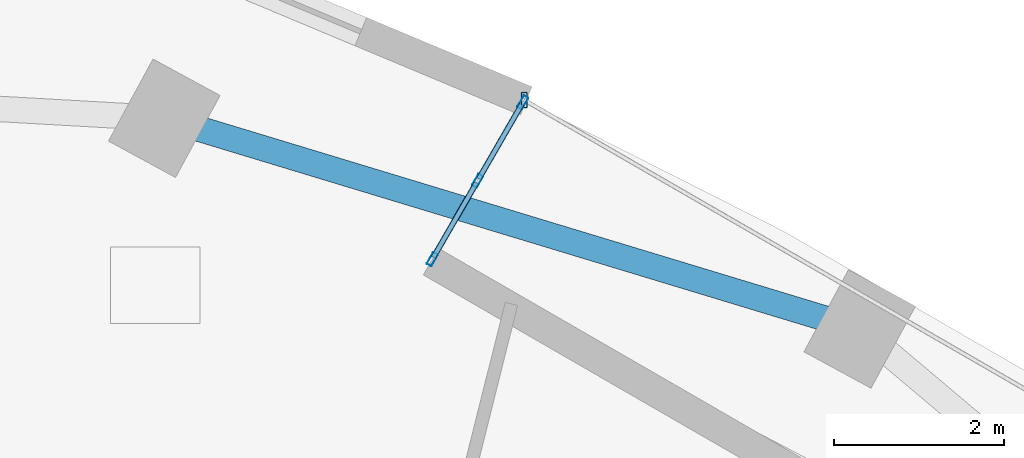
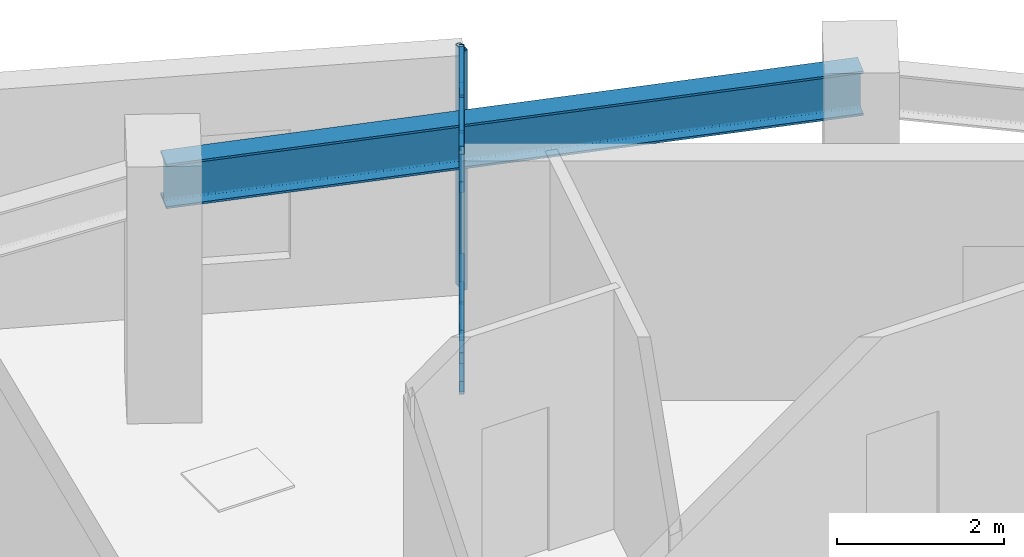
# One storey, part 4 of 14: 12 members, 1 beam, 1 element without a shape of its own.
"""IFC4 building model written with IfcOpenShell, lengths in metres."""

from ifc_helpers import new_model, si_unit, direction, frame, origin, origin_2d, place, context, subcontext, project, spatial, hollow_rectangle, i_section, extrude, material, layer, layer_set, material_profile, profile_set, type_object, element, aggregate, save


model = new_model("IFC4")

# Units and contexts
model_context = context("Model", 3, precision=1e-05, world=origin(), true_north=direction((0.0, 1.0)))
body_context = subcontext(model_context, "Body", "Model", "MODEL_VIEW")
ifc_project = project(units=[si_unit("LENGTHUNIT", "METRE"), si_unit("AREAUNIT", "SQUARE_METRE"), si_unit("VOLUMEUNIT", "CUBIC_METRE"), si_unit("PLANEANGLEUNIT", "RADIAN"), si_unit("MASSUNIT", "GRAM", prefix="KILO")], contexts=[model_context])

# Site, building, storey
site_placement = place(None, origin())
site = spatial("IfcSite", under=ifc_project, at=site_placement, CompositionType="ELEMENT")
building_placement = place(site_placement, origin())
building = spatial("IfcBuilding", under=site, at=building_placement, Name="Ndelora Gate Hotel", CompositionType="ELEMENT")
storey_placement = place(building_placement, frame((0.0, 0.0, 119.75)))
storey = spatial("IfcBuildingStorey", under=building, at=storey_placement, Name="L29", CompositionType="ELEMENT", Elevation=119.75)

# Beam
ifc_material_1 = material(Name="Steel S355", Category="steel")
ifc_material_profile_1 = material_profile(ifc_material_1, i_section(OverallWidth=0.300048828125, OverallDepth=0.64990234375, WebThickness=0.01611328125, FlangeThickness=0.031005859375, FilletRadius=0.027099609375, at=origin_2d()), Name="HEB 650")
ifc_profile_set_1 = profile_set([ifc_material_profile_1], Name="Steel S355")
beam_type = type_object("IfcBeamType", Name="BM-RING-650", PredefinedType="SPANDREL", material=ifc_profile_set_1)
beam_placement = place(storey_placement, frame((7.759033203125, 14.290283203125, 3.175048828125), z_axis=(-0.957030396662, 0.289987620192, 0.0), x_axis=(-0.289987620192, -0.957030396662, 0.0)))
element("IfcBeam", 1, at=beam_placement, inside=storey, type_object=beam_type, Name="L29 Perimeter Spandrel Girder 11", PredefinedType="SPANDREL", context=body_context, shape_type="SweptSolid", body=[
    extrude(i_section(OverallWidth=0.300048828125, OverallDepth=0.64990234375, WebThickness=0.01611328125, FlangeThickness=0.031005859375, FilletRadius=0.027099609375, at=origin_2d()), origin(), (0.0, 0.0, 1.0), 8.56640625),
])

# Curtain wall, members
ifc_material_2 = material(Name="Bronze Anodised Unitised Aluminium and Low-E Glass", Category="aluminium")
ifc_layer = layer(ifc_material_2, 0.199951171875)
ifc_layer_set = layer_set([ifc_layer], Name="Bronze Anodised Unitised Aluminium and Low-E Glass")
curtain_wall_type = type_object("IfcCurtainWallType", Name="CW-SYS-3", PredefinedType="NOTDEFINED", material=ifc_layer_set)
curtain_wall_placement = place(storey_placement, origin())
curtain_wall = element("IfcCurtainWall", 2, at=curtain_wall_placement, inside=storey, type_object=curtain_wall_type, Name="L29 Sky-Garden Loggia Side Curtain Wall CW3-2", PredefinedType="NOTDEFINED")
ifc_material_3 = material(Name="Bronze Anodised Aluminium 6063-T6", Category="aluminium")
ifc_material_profile_2 = material_profile(ifc_material_3, hollow_rectangle(XDim=0.06494140625, YDim=0.159912109375, WallThickness=0.00390625, InnerFilletRadius=0.00390625, OuterFilletRadius=0.008056640625, at=origin_2d()), Name="ALU 160x65x4")
ifc_profile_set_2 = profile_set([ifc_material_profile_2], Name="Bronze Anodised Aluminium 6063-T6")
member_type_1 = type_object("IfcMemberType", Name="MB-CW-MUL150", PredefinedType="MULLION", material=ifc_profile_set_2)
member_1_placement = place(storey_placement, frame((3.788330078125, 16.96142578125, -0.00390625), z_axis=(0.0, 0.0, 1.0), x_axis=(0.866019052627, -0.500011000366, 0.0)))
member_1 = element("IfcMember", 3, at=member_1_placement, type_object=member_type_1, Name="CW3 mullion 1", PredefinedType="MULLION", context=body_context, shape_type="SweptSolid", body=[
    extrude(hollow_rectangle(XDim=0.06494140625, YDim=0.159912109375, WallThickness=0.00390625, InnerFilletRadius=0.00390625, OuterFilletRadius=0.008056640625, at=origin_2d()), origin(), (0.0, 0.0, 1.0), 3.5078125),
])
member_2_placement = place(storey_placement, frame((3.25439453125, 16.036865234375, -0.00390625), z_axis=(0.0, 0.0, 1.0), x_axis=(0.866019052627, -0.500011000366, 0.0)))
member_2 = element("IfcMember", 4, at=member_2_placement, type_object=member_type_1, Name="CW3 mullion 2", PredefinedType="MULLION", context=body_context, shape_type="SweptSolid", body=[
    extrude(hollow_rectangle(XDim=0.06494140625, YDim=0.159912109375, WallThickness=0.00390625, InnerFilletRadius=0.00390625, OuterFilletRadius=0.008056640625, at=origin_2d()), origin(), (0.0, 0.0, 1.0), 3.5078125),
])
member_3_placement = place(storey_placement, frame((2.720703125, 15.112548828125, -0.00390625), z_axis=(0.0, 0.0, 1.0), x_axis=(0.866019052627, -0.500011000366, 0.0)))
member_3 = element("IfcMember", 5, at=member_3_placement, type_object=member_type_1, Name="CW3 mullion 3", PredefinedType="MULLION", context=body_context, shape_type="SweptSolid", body=[
    extrude(hollow_rectangle(XDim=0.06494140625, YDim=0.159912109375, WallThickness=0.00390625, InnerFilletRadius=0.00390625, OuterFilletRadius=0.008056640625, at=origin_2d()), origin(), (0.0, 0.0, 1.0), 3.5078125),
])
ifc_material_profile_3 = material_profile(ifc_material_3, hollow_rectangle(XDim=0.070068359375, YDim=0.179931640625, WallThickness=0.0048828125, InnerFilletRadius=0.0048828125, OuterFilletRadius=0.010009765625, at=origin_2d()), Name="ALU 180x70x5")
ifc_profile_set_3 = profile_set([ifc_material_profile_3], Name="Bronze Anodised Aluminium 6063-T6")
member_type_2 = type_object("IfcMemberType", Name="MB-CW-MUL180", PredefinedType="MULLION", material=ifc_profile_set_3)
member_4_placement = place(storey_placement, frame((3.804443359375, 16.989501953125, 0.0), z_axis=(0.0, 0.0, 1.0), x_axis=(1.0, 0.0, 0.0)))
member_4 = element("IfcMember", 6, at=member_4_placement, type_object=member_type_2, Name="L29 Sky-Garden Loggia Corner Mullion Post 2", PredefinedType="MULLION", context=body_context, shape_type="SweptSolid", body=[
    extrude(hollow_rectangle(XDim=0.070068359375, YDim=0.179931640625, WallThickness=0.0048828125, InnerFilletRadius=0.0048828125, OuterFilletRadius=0.010009765625, at=origin_2d()), origin(), (0.0, 0.0, 1.0), 3.5),
])
ifc_material_profile_4 = material_profile(ifc_material_3, hollow_rectangle(XDim=0.06494140625, YDim=0.159912109375, WallThickness=0.00390625, InnerFilletRadius=0.00390625, OuterFilletRadius=0.008056640625, at=origin_2d()), Name="ALU 160x65x4")
ifc_profile_set_4 = profile_set([ifc_material_profile_4], Name="Bronze Anodised Aluminium 6063-T6")
member_type_3 = type_object("IfcMemberType", Name="MB-CW-TRN150", PredefinedType="USERDEFINED", material=ifc_profile_set_4)
member_5_placement = place(storey_placement, frame((3.77490234375, 16.9384765625, 0.032470703125), z_axis=(-0.499840506035, -0.866117468088, 0.0), x_axis=(0.866117468088, -0.499840506035, 0.0)))
member_5 = element("IfcMember", 7, at=member_5_placement, type_object=member_type_3, Name="CW3 transom 1.1", ObjectType="TRANSOM", PredefinedType="USERDEFINED", context=body_context, shape_type="SweptSolid", body=[
    extrude(hollow_rectangle(XDim=0.06494140625, YDim=0.159912109375, WallThickness=0.00390625, InnerFilletRadius=0.00390625, OuterFilletRadius=0.008056640625, at=origin_2d()), origin(), (0.0, 0.0, 1.0), 1.014404296875),
])
member_6_placement = place(storey_placement, frame((3.77490234375, 16.9384765625, 0.449951171875), z_axis=(-0.499840506035, -0.866117468088, 0.0), x_axis=(0.866117468088, -0.499840506035, 0.0)))
member_6 = element("IfcMember", 8, at=member_6_placement, type_object=member_type_3, Name="CW3 transom 1.2", ObjectType="TRANSOM", PredefinedType="USERDEFINED", context=body_context, shape_type="SweptSolid", body=[
    extrude(hollow_rectangle(XDim=0.06494140625, YDim=0.159912109375, WallThickness=0.00390625, InnerFilletRadius=0.00390625, OuterFilletRadius=0.008056640625, at=origin_2d()), origin(), (0.0, 0.0, 1.0), 1.014404296875),
])
member_7_placement = place(storey_placement, frame((3.77490234375, 16.9384765625, 2.949951171875), z_axis=(-0.499840506035, -0.866117468088, 0.0), x_axis=(0.866117468088, -0.499840506035, 0.0)))
member_7 = element("IfcMember", 9, at=member_7_placement, type_object=member_type_3, Name="CW3 transom 1.3", ObjectType="TRANSOM", PredefinedType="USERDEFINED", context=body_context, shape_type="SweptSolid", body=[
    extrude(hollow_rectangle(XDim=0.06494140625, YDim=0.159912109375, WallThickness=0.00390625, InnerFilletRadius=0.00390625, OuterFilletRadius=0.008056640625, at=origin_2d()), origin(), (0.0, 0.0, 1.0), 1.014404296875),
])
member_8_placement = place(storey_placement, frame((3.77490234375, 16.9384765625, 3.467529296875), z_axis=(-0.499840506035, -0.866117468088, 0.0), x_axis=(0.866117468088, -0.499840506035, 0.0)))
member_8 = element("IfcMember", 10, at=member_8_placement, type_object=member_type_3, Name="CW3 transom 1.4", ObjectType="TRANSOM", PredefinedType="USERDEFINED", context=body_context, shape_type="SweptSolid", body=[
    extrude(hollow_rectangle(XDim=0.06494140625, YDim=0.159912109375, WallThickness=0.00390625, InnerFilletRadius=0.00390625, OuterFilletRadius=0.008056640625, at=origin_2d()), origin(), (0.0, 0.0, 1.0), 1.014404296875),
])
member_9_placement = place(storey_placement, frame((3.2412109375, 16.013916015625, 0.032470703125), z_axis=(-0.50012521828, -0.865953096906, 0.0), x_axis=(0.865953096906, -0.50012521828, 0.0)))
member_9 = element("IfcMember", 11, at=member_9_placement, type_object=member_type_3, Name="CW3 transom 2.1", ObjectType="TRANSOM", PredefinedType="USERDEFINED", context=body_context, shape_type="SweptSolid", body=[
    extrude(hollow_rectangle(XDim=0.06494140625, YDim=0.159912109375, WallThickness=0.00390625, InnerFilletRadius=0.00390625, OuterFilletRadius=0.008056640625, at=origin_2d()), origin(), (0.0, 0.0, 1.0), 1.014404296875),
])
member_10_placement = place(storey_placement, frame((3.2412109375, 16.013916015625, 0.449951171875), z_axis=(-0.50012521828, -0.865953096906, 0.0), x_axis=(0.865953096906, -0.50012521828, 0.0)))
member_10 = element("IfcMember", 12, at=member_10_placement, type_object=member_type_3, Name="CW3 transom 2.2", ObjectType="TRANSOM", PredefinedType="USERDEFINED", context=body_context, shape_type="SweptSolid", body=[
    extrude(hollow_rectangle(XDim=0.06494140625, YDim=0.159912109375, WallThickness=0.00390625, InnerFilletRadius=0.00390625, OuterFilletRadius=0.008056640625, at=origin_2d()), origin(), (0.0, 0.0, 1.0), 1.014404296875),
])
member_11_placement = place(storey_placement, frame((3.2412109375, 16.013916015625, 2.949951171875), z_axis=(-0.50012521828, -0.865953096906, 0.0), x_axis=(0.865953096906, -0.50012521828, 0.0)))
member_11 = element("IfcMember", 13, at=member_11_placement, type_object=member_type_3, Name="CW3 transom 2.3", ObjectType="TRANSOM", PredefinedType="USERDEFINED", context=body_context, shape_type="SweptSolid", body=[
    extrude(hollow_rectangle(XDim=0.06494140625, YDim=0.159912109375, WallThickness=0.00390625, InnerFilletRadius=0.00390625, OuterFilletRadius=0.008056640625, at=origin_2d()), origin(), (0.0, 0.0, 1.0), 1.014404296875),
])
member_12_placement = place(storey_placement, frame((3.2412109375, 16.013916015625, 3.467529296875), z_axis=(-0.50012521828, -0.865953096906, 0.0), x_axis=(0.865953096906, -0.50012521828, 0.0)))
member_12 = element("IfcMember", 14, at=member_12_placement, type_object=member_type_3, Name="CW3 transom 2.4", ObjectType="TRANSOM", PredefinedType="USERDEFINED", context=body_context, shape_type="SweptSolid", body=[
    extrude(hollow_rectangle(XDim=0.06494140625, YDim=0.159912109375, WallThickness=0.00390625, InnerFilletRadius=0.00390625, OuterFilletRadius=0.008056640625, at=origin_2d()), origin(), (0.0, 0.0, 1.0), 1.014404296875),
])
aggregate(curtain_wall, [member_1, member_2, member_3, member_5, member_6, member_7, member_8, member_9, member_10, member_11, member_12, member_4])

save(model, "model.ifc")
